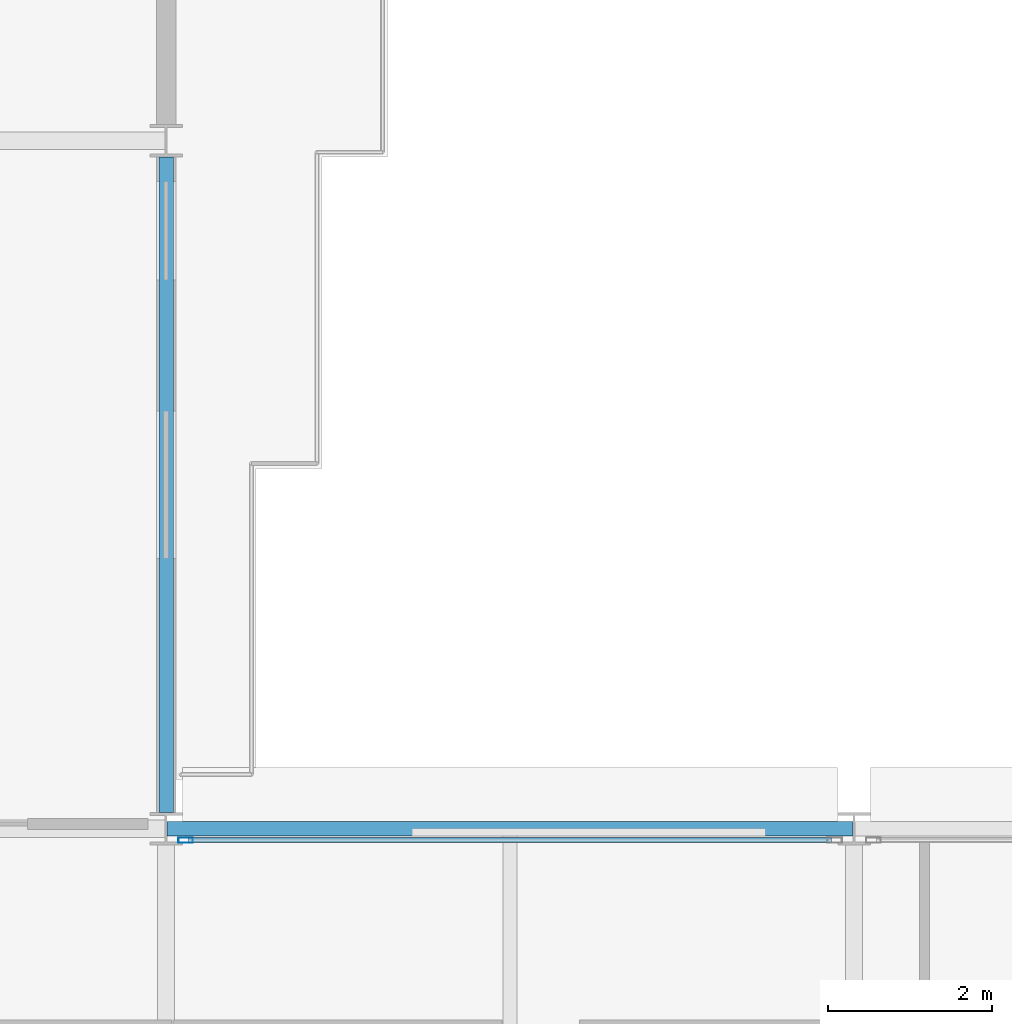
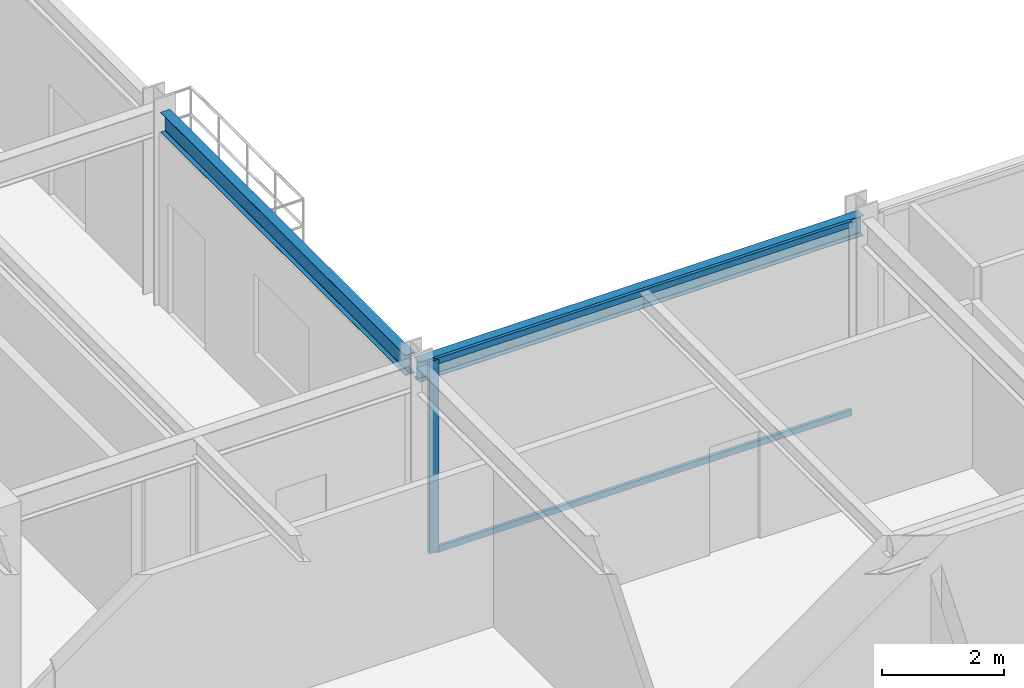
# One storey, part 12 of 30: 3 members, 2 beams, 1 element without a shape of its own.
"""IFC4 building model written with IfcOpenShell, lengths in metres."""

from ifc_helpers import new_model, si_unit, direction, frame, origin, origin_2d, place, context, subcontext, project, spatial, hollow_rectangle, i_section, extrude, material, layer, layer_set, material_profile, profile_set, type_object, element, aggregate, save


model = new_model("IFC4")

# Units and contexts
model_context = context("Model", 3, precision=1e-05, world=origin(), true_north=direction((0.0, 1.0)))
body_context = subcontext(model_context, "Body", "Model", "MODEL_VIEW")
ifc_project = project(units=[si_unit("LENGTHUNIT", "METRE"), si_unit("AREAUNIT", "SQUARE_METRE"), si_unit("VOLUMEUNIT", "CUBIC_METRE"), si_unit("PLANEANGLEUNIT", "RADIAN"), si_unit("MASSUNIT", "GRAM", prefix="KILO")], contexts=[model_context])

# Site, building, storey
site_placement = place(None, origin())
site = spatial("IfcSite", under=ifc_project, at=site_placement, CompositionType="ELEMENT")
building_placement = place(site_placement, origin())
building = spatial("IfcBuilding", under=site, at=building_placement, Name="Nerrivon Quay Data Exchange", CompositionType="ELEMENT")
storey_placement = place(building_placement, frame((0.0, 0.0, 117.199951171875)))
storey = spatial("IfcBuildingStorey", under=building, at=storey_placement, Name="L27", CompositionType="ELEMENT", Elevation=117.199951171875)

# Beams
ifc_material_1 = material(Name="Steel Grade 350", Category="steel")
ifc_material_profile_1 = material_profile(ifc_material_1, i_section(OverallWidth=0.177978515625, OverallDepth=0.403076171875, WebThickness=0.007568359375, FlangeThickness=0.010986328125, FilletRadius=0.011474609375, at=origin_2d()), Name="410UB53.7")
ifc_profile_set_1 = profile_set([ifc_material_profile_1], Name="Steel Grade 350")
beam_type = type_object("IfcBeamType", Name="BM-SP2-410UB54", PredefinedType="SPANDREL", material=ifc_profile_set_1)
beam_1_placement = place(storey_placement, frame((25.21240234375, 25.199951171875, 3.62353515625), z_axis=(1.0, 0.0, 0.0), x_axis=(0.0, 1.0, 0.0)))
element("IfcBeam", 1, at=beam_1_placement, inside=storey, type_object=beam_type, Name="L27 EW Girder Y=25.2 (25.2..33.6)", PredefinedType="SPANDREL", context=body_context, shape_type="SweptSolid", body=[
    extrude(i_section(OverallWidth=0.177978515625, OverallDepth=0.403076171875, WebThickness=0.007568359375, FlangeThickness=0.010986328125, FilletRadius=0.011474609375, at=origin_2d()), origin(), (0.0, 0.0, 1.0), 8.375),
])
beam_2_placement = place(storey_placement, frame((25.199951171875, 25.39990234375, 3.62353515625), z_axis=(0.0, 1.0, 0.0), x_axis=(-1.0, 0.0, 0.0)))
element("IfcBeam", 2, at=beam_2_placement, inside=storey, type_object=beam_type, Name="L27 NS Girder X=25.2 (25.2..33.6)", PredefinedType="SPANDREL", context=body_context, shape_type="SweptSolid", body=[
    extrude(i_section(OverallWidth=0.177978515625, OverallDepth=0.403076171875, WebThickness=0.007568359375, FlangeThickness=0.010986328125, FilletRadius=0.011474609375, at=origin_2d()), origin(), (0.0, 0.0, 1.0), 8.0),
])

# Curtain wall, members
ifc_material_2 = material(Name="Anodised aluminium 6063-T6", Category="aluminium")
ifc_layer = layer(ifc_material_2, 0.2099609375)
ifc_layer_set = layer_set([ifc_layer], Name="Anodised aluminium 6063-T6")
curtain_wall_type = type_object("IfcCurtainWallType", Name="CW-SYS-02", PredefinedType="NOTDEFINED", material=ifc_layer_set)
curtain_wall_placement = place(storey_placement, origin())
curtain_wall = element("IfcCurtainWall", 3, at=curtain_wall_placement, inside=storey, type_object=curtain_wall_type, Name="L27 Unitised Curtain Wall 26", PredefinedType="NOTDEFINED")
ifc_material_profile_2 = material_profile(ifc_material_2, hollow_rectangle(XDim=0.06494140625, YDim=0.179931640625, WallThickness=0.00341796875, at=origin_2d()), Name="ALU-MULL-180x65")
ifc_profile_set_2 = profile_set([ifc_material_profile_2], Name="Anodised aluminium 6063-T6")
member_type_1 = type_object("IfcMemberType", Name="CWM-180x65", PredefinedType="MULLION", material=ifc_profile_set_2)
member_1_placement = place(storey_placement, frame((25.4375, 25.06005859375, 0.0), z_axis=(0.0, 0.0, 1.0), x_axis=(0.0, 1.0, 0.0)))
member_1 = element("IfcMember", 4, at=member_1_placement, type_object=member_type_1, Name="CW02 mullion 1", PredefinedType="MULLION", context=body_context, shape_type="SweptSolid", body=[
    extrude(hollow_rectangle(XDim=0.06494140625, YDim=0.179931640625, WallThickness=0.00341796875, at=origin_2d()), origin(), (0.0, 0.0, 1.0), 3.824951171875),
])
ifc_material_profile_3 = material_profile(ifc_material_2, hollow_rectangle(XDim=0.06005859375, YDim=0.1201171875, WallThickness=0.003173828125, at=origin_2d()), Name="ALU-TRAN-120x60")
ifc_profile_set_3 = profile_set([ifc_material_profile_3], Name="Anodised aluminium 6063-T6")
member_type_2 = type_object("IfcMemberType", Name="CWT-120x60", PredefinedType="USERDEFINED", material=ifc_profile_set_3)
member_2_placement = place(storey_placement, frame((25.47509765625, 25.06005859375, 0.032470703125), z_axis=(1.0, 0.0, 0.0), x_axis=(0.0, 1.0, 0.0)))
member_2 = element("IfcMember", 5, at=member_2_placement, type_object=member_type_2, Name="CW02 transom 1.1", ObjectType="TRANSOM", PredefinedType="USERDEFINED", context=body_context, shape_type="SweptSolid", body=[
    extrude(hollow_rectangle(XDim=0.06005859375, YDim=0.1201171875, WallThickness=0.003173828125, at=origin_2d()), origin(), (0.0, 0.0, 1.0), 7.849853515625),
])
member_3_placement = place(storey_placement, frame((25.47509765625, 25.06005859375, 3.79248046875), z_axis=(1.0, 0.0, 0.0), x_axis=(0.0, 1.0, 0.0)))
member_3 = element("IfcMember", 6, at=member_3_placement, type_object=member_type_2, Name="CW02 transom 1.2", ObjectType="TRANSOM", PredefinedType="USERDEFINED", context=body_context, shape_type="SweptSolid", body=[
    extrude(hollow_rectangle(XDim=0.06005859375, YDim=0.1201171875, WallThickness=0.003173828125, at=origin_2d()), origin(), (0.0, 0.0, 1.0), 7.849853515625),
])
aggregate(curtain_wall, [member_1, member_2, member_3])

save(model, "model.ifc")
